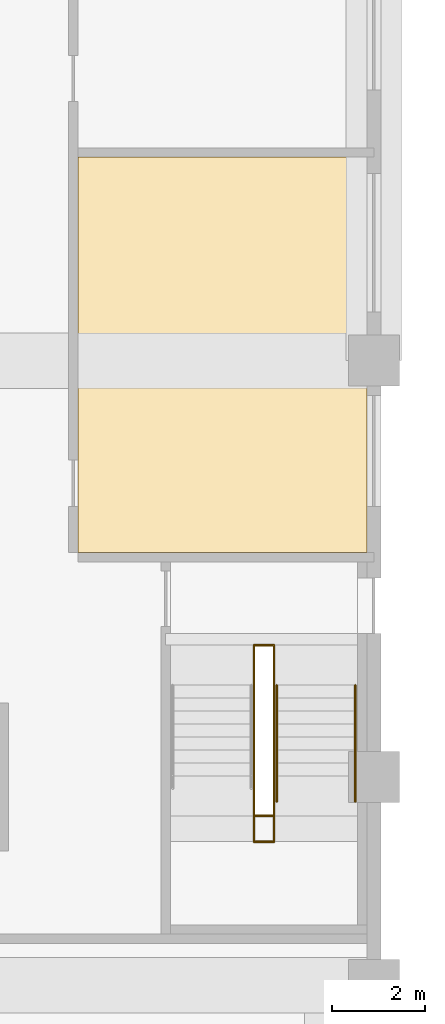
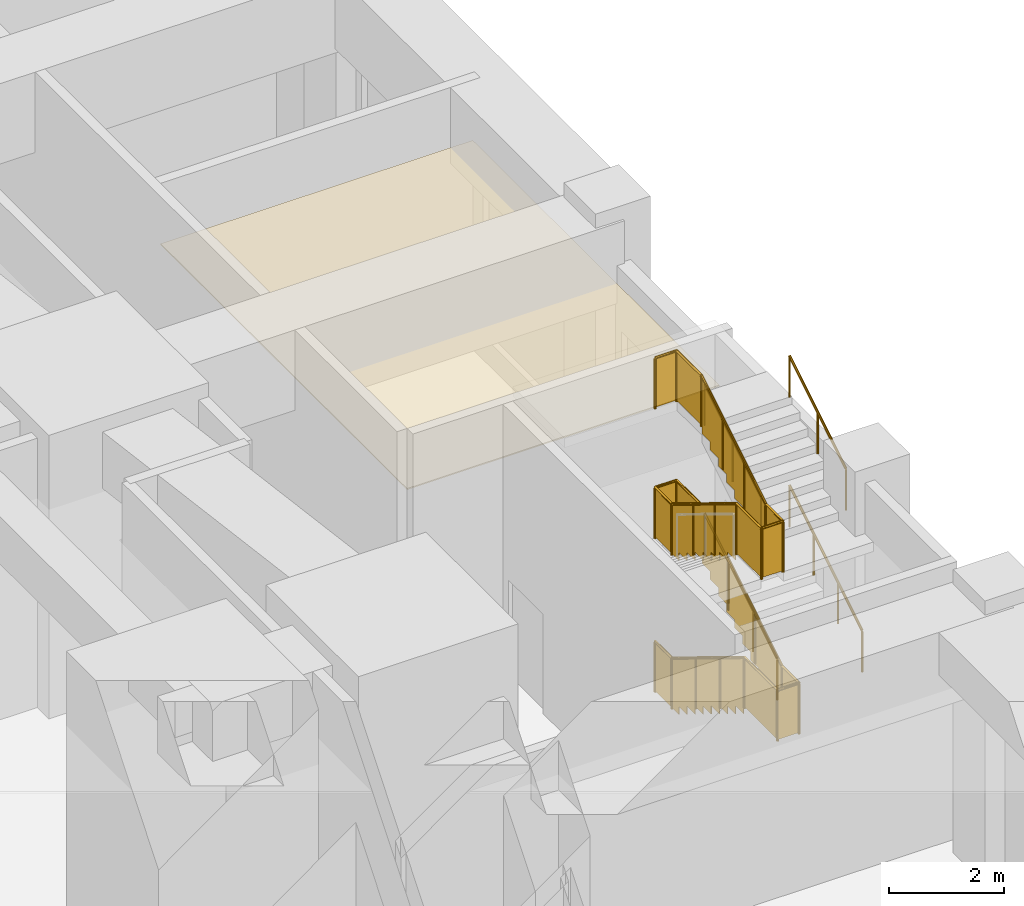
# One storey, part 12 of 13: 8 railings, 1 covering.
"""IFC4 building model written with IfcOpenShell, lengths in metres."""

from ifc_helpers import new_model, si_unit, direction, frame, origin, origin_2d, place, context, subcontext, project, spatial, polyline, circle, outline, extrude, material, layer, layer_set, type_object, element, save


model = new_model("IFC4")

# Units and contexts
model_context = context("Model", 3, precision=1e-05, world=origin(), true_north=direction((0.0, 1.0)))
body_context = subcontext(model_context, "Body", "Model", "MODEL_VIEW")
ifc_project = project(units=[si_unit("LENGTHUNIT", "METRE"), si_unit("AREAUNIT", "SQUARE_METRE"), si_unit("VOLUMEUNIT", "CUBIC_METRE"), si_unit("PLANEANGLEUNIT", "RADIAN"), si_unit("MASSUNIT", "GRAM", prefix="KILO")], contexts=[model_context])

# Site, building, storey
site_placement = place(None, origin())
site = spatial("IfcSite", under=ifc_project, at=site_placement, CompositionType="ELEMENT")
building_placement = place(site_placement, origin())
building = spatial("IfcBuilding", under=site, at=building_placement, Name="Kilele Tower Hotel", CompositionType="ELEMENT")
storey_placement = place(building_placement, origin())
storey = spatial("IfcBuildingStorey", under=building, at=storey_placement, Name="L00", CompositionType="ELEMENT", Elevation=0.0)

# Railings
ifc_material_1 = material(Name="Steel handrail", Category="steel")
railing_type_1 = type_object("IfcRailingType", Name="Handrail 900", PredefinedType="HANDRAIL", material=ifc_material_1)
for number, where, name in (
    (1, (56.39990234375, 3.965087890625, 1.71435546875), "Handrail ST5 flight 2"),
    (2, (58.10009765625, 3.965087890625, 1.71435546875), "Handrail ST5 flight 2"),
):
    element("IfcRailing", number, at=place(storey_placement, frame(where)), inside=storey, type_object=railing_type_1, Name=name, PredefinedType="HANDRAIL", context=body_context, shape_type="SweptSolid", body=[
        extrude(circle(Radius=0.02490234375, at=origin_2d()), frame((0.0, 0.0, 0.875), z_axis=(0.0, 0.852873080145, 0.522118290393), x_axis=(-1.0, 0.0, 0.0)), (0.0, 0.0, 1.0), 2.954833984375),
        extrude(circle(Radius=0.02001953125, at=origin_2d()), origin(), (0.0, 0.0, 1.0), 0.849853515625),
        extrude(circle(Radius=0.02001953125, at=origin_2d()), frame((0.0, 0.840087890625, 0.51416015625)), (0.0, 0.0, 1.0), 0.849853515625),
        extrude(circle(Radius=0.02001953125, at=origin_2d()), frame((0.0, 1.679931640625, 1.028564453125)), (0.0, 0.0, 1.0), 0.849853515625),
        extrude(circle(Radius=0.02001953125, at=origin_2d()), frame((0.0, 2.52001953125, 1.542724609375)), (0.0, 0.0, 1.0), 0.849853515625),
    ])
for number, where, name in (
    (3, (56.39990234375, 4.52490234375, 4.800048828125), "Handrail ST5 flight 4"),
    (4, (58.10009765625, 4.52490234375, 4.800048828125), "Handrail ST5 flight 4"),
):
    element("IfcRailing", number, at=place(storey_placement, frame(where)), inside=storey, type_object=railing_type_1, Name=name, PredefinedType="HANDRAIL", context=body_context, shape_type="SweptSolid", body=[
        extrude(circle(Radius=0.02490234375, at=origin_2d()), frame((0.0, 0.0, 0.875), z_axis=(0.0, 0.852885091096, 0.522098670163), x_axis=(-1.0, 0.0, 0.0)), (0.0, 0.0, 1.0), 2.29833984375),
        extrude(circle(Radius=0.02001953125, at=origin_2d()), origin(), (0.0, 0.0, 1.0), 0.849853515625),
        extrude(circle(Radius=0.02001953125, at=origin_2d()), frame((0.0, 0.97998046875, 0.60009765625)), (0.0, 0.0, 1.0), 0.849853515625),
        extrude(circle(Radius=0.02001953125, at=origin_2d()), frame((0.0, 1.960205078125, 1.199951171875)), (0.0, 0.0, 1.0), 0.849853515625),
    ])
ifc_material_2 = material(Name="Steel guard", Category="steel")
railing_type_2 = type_object("IfcRailingType", Name="Stair guard 1100", PredefinedType="GUARDRAIL", material=ifc_material_2)
railing_1_placement = place(storey_placement, frame((55.909912109375, 7.35009765625, 0.0)))
element("IfcRailing", 5, at=railing_1_placement, inside=storey, type_object=railing_type_2, Name="Stair well guard ST5 flight 1", PredefinedType="GUARDRAIL", context=body_context, shape_type="SweptSolid", body=[
    extrude(circle(Radius=0.02490234375, at=origin_2d()), frame((0.0, 0.0, 1.0751953125), z_axis=(0.0, -1.0, 0.0), x_axis=(1.0, 0.0, 0.0)), (0.0, 0.0, 1.0), 0.585205078125),
    extrude(circle(Radius=0.02490234375, at=origin_2d()), frame((0.0, -0.585205078125, 1.0751953125), z_axis=(0.0, -0.85281375462, 0.522215185466), x_axis=(1.0, 0.0, 0.0)), (0.0, 0.0, 1.0), 2.95458984375),
    extrude(circle(Radius=0.02490234375, at=origin_2d()), frame((0.0, -3.10498046875, 2.6181640625), z_axis=(0.0, -1.0, 0.0), x_axis=(1.0, 0.0, 0.0)), (0.0, 0.0, 1.0), 1.14501953125),
    extrude(circle(Radius=0.02490234375, at=origin_2d()), frame((0.0, -4.25, 2.6181640625), z_axis=(1.0, 0.0, 0.0), x_axis=(0.0, 1.0, 0.0)), (0.0, 0.0, 1.0), 0.43017578125),
    extrude(circle(Radius=0.02490234375, at=origin_2d()), origin(), (0.0, 0.0, 1.0), 1.050048828125),
    extrude(circle(Radius=0.02490234375, at=origin_2d()), frame((0.0, -0.585205078125, 0.0)), (0.0, 0.0, 1.0), 1.050048828125),
    extrude(circle(Radius=0.02490234375, at=origin_2d()), frame((0.0, -1.425048828125, 0.514404296875)), (0.0, 0.0, 1.0), 1.050048828125),
    extrude(circle(Radius=0.02490234375, at=origin_2d()), frame((0.0, -2.26513671875, 1.028564453125)), (0.0, 0.0, 1.0), 1.050048828125),
    extrude(circle(Radius=0.02490234375, at=origin_2d()), frame((0.0, -3.10498046875, 1.54296875)), (0.0, 0.0, 1.0), 1.050048828125),
    extrude(circle(Radius=0.02490234375, at=origin_2d()), frame((0.0, -4.25, 1.54296875)), (0.0, 0.0, 1.0), 1.050048828125),
    extrude(circle(Radius=0.02490234375, at=origin_2d()), frame((0.43017578125, -4.25, 1.54296875)), (0.0, 0.0, 1.0), 1.050048828125),
    extrude(outline(polyline([(0.0, 0.030029296875), (0.57275390625, 0.030029296875), (0.57275390625, 1.050048828125), (0.0, 1.050048828125), (0.0, 0.030029296875)])), frame((0.005859375, 0.0, 0.0), z_axis=(-1.0, 0.0, 0.0), x_axis=(0.0, -1.0, 0.0)), (0.0, 0.0, 1.0), 0.011962890625),
    extrude(outline(polyline([(0.012451171875, 0.030029296875), (0.25, 0.030029296875), (0.25, 0.201416015625), (0.530029296875, 0.201416015625), (0.530029296875, 0.372802734375), (0.809814453125, 0.372802734375), (0.809814453125, 0.54443359375), (1.08984375, 0.54443359375), (1.08984375, 0.7158203125), (1.369873046875, 0.7158203125), (1.369873046875, 0.88720703125), (1.64990234375, 0.88720703125), (1.64990234375, 1.05859375), (1.9296875, 1.05859375), (1.9296875, 1.230224609375), (2.209716796875, 1.230224609375), (2.209716796875, 1.401611328125), (2.48974609375, 1.401611328125), (2.48974609375, 1.572998046875), (2.50732421875, 1.572998046875), (2.50732421875, 2.5810546875), (0.012451171875, 1.053466796875), (0.012451171875, 0.030029296875)])), frame((0.005859375, -0.585205078125, 0.0), z_axis=(-1.0, 0.0, 0.0), x_axis=(0.0, -1.0, 0.0)), (0.0, 0.0, 1.0), 0.011962890625),
    extrude(outline(polyline([(0.012451171875, 0.030029296875), (1.132568359375, 0.030029296875), (1.132568359375, 1.050048828125), (0.012451171875, 1.050048828125), (0.012451171875, 0.030029296875)])), frame((0.005859375, -3.10498046875, 1.54296875), z_axis=(-1.0, 0.0, 0.0), x_axis=(0.0, -1.0, 0.0)), (0.0, 0.0, 1.0), 0.011962890625),
    extrude(outline(polyline([(0.012451171875, 0.030029296875), (0.43017578125, 0.030029296875), (0.43017578125, 1.050048828125), (0.012451171875, 1.050048828125), (0.012451171875, 0.030029296875)])), frame((0.0, -4.244140625, 1.54296875), z_axis=(0.0, -1.0, 0.0), x_axis=(1.0, 0.0, 0.0)), (0.0, 0.0, 1.0), 0.011962890625),
])
railing_2_placement = place(storey_placement, frame((56.340087890625, 3.10009765625, 1.54296875)))
element("IfcRailing", 6, at=railing_2_placement, inside=storey, type_object=railing_type_2, Name="Stair well guard ST5 flight 2", PredefinedType="GUARDRAIL", context=body_context, shape_type="SweptSolid", body=[
    extrude(circle(Radius=0.02490234375, at=origin_2d()), frame((0.0, 0.0, 1.0751953125), z_axis=(0.0, 1.0, 0.0), x_axis=(-1.0, 0.0, 0.0)), (0.0, 0.0, 1.0), 0.5849609375),
    extrude(circle(Radius=0.02490234375, at=origin_2d()), frame((0.0, 0.5849609375, 1.0751953125), z_axis=(0.0, 0.852879011914, 0.522108600807), x_axis=(-1.0, 0.0, 0.0)), (0.0, 0.0, 1.0), 3.282958984375),
    extrude(circle(Radius=0.02490234375, at=origin_2d()), frame((0.0, 3.385009765625, 2.7890625), z_axis=(0.0, 1.0, 0.0), x_axis=(-1.0, 0.0, 0.0)), (0.0, 0.0, 1.0), 0.864990234375),
    extrude(circle(Radius=0.02490234375, at=origin_2d()), frame((0.0, 4.25, 2.7890625), z_axis=(-1.0, 0.0, 0.0), x_axis=(0.0, -1.0, 0.0)), (0.0, 0.0, 1.0), 0.43017578125),
    extrude(circle(Radius=0.02490234375, at=origin_2d()), origin(), (0.0, 0.0, 1.0), 1.050048828125),
    extrude(circle(Radius=0.02490234375, at=origin_2d()), frame((0.0, 0.5849609375, 0.0)), (0.0, 0.0, 1.0), 1.050048828125),
    extrude(circle(Radius=0.02490234375, at=origin_2d()), frame((0.0, 1.518310546875, 0.5712890625)), (0.0, 0.0, 1.0), 1.050048828125),
    extrude(circle(Radius=0.02490234375, at=origin_2d()), frame((0.0, 2.45166015625, 1.142822265625)), (0.0, 0.0, 1.0), 1.050048828125),
    extrude(circle(Radius=0.02490234375, at=origin_2d()), frame((0.0, 3.385009765625, 1.714111328125)), (0.0, 0.0, 1.0), 1.050048828125),
    extrude(circle(Radius=0.02490234375, at=origin_2d()), frame((0.0, 4.25, 1.714111328125)), (0.0, 0.0, 1.0), 1.050048828125),
    extrude(circle(Radius=0.02490234375, at=origin_2d()), frame((-0.43017578125, 4.25, 1.714111328125)), (0.0, 0.0, 1.0), 1.050048828125),
    extrude(outline(polyline([(0.0, 0.030029296875), (0.572509765625, 0.030029296875), (0.572509765625, 1.050048828125), (0.0, 1.050048828125), (0.0, 0.030029296875)])), frame((-0.005859375, 0.0, 0.0), z_axis=(1.0, 0.0, 0.0), x_axis=(0.0, 1.0, 0.0)), (0.0, 0.0, 1.0), 0.011962890625),
    extrude(outline(polyline([(0.012451171875, 0.030029296875), (0.25, 0.030029296875), (0.25, 0.201416015625), (0.530029296875, 0.201416015625), (0.530029296875, 0.372802734375), (0.81005859375, 0.372802734375), (0.81005859375, 0.544189453125), (1.090087890625, 0.544189453125), (1.090087890625, 0.715576171875), (1.3701171875, 0.715576171875), (1.3701171875, 0.88720703125), (1.64990234375, 0.88720703125), (1.64990234375, 1.05859375), (1.929931640625, 1.05859375), (1.929931640625, 1.22998046875), (2.2099609375, 1.22998046875), (2.2099609375, 1.4013671875), (2.489990234375, 1.4013671875), (2.489990234375, 1.57275390625), (2.77001953125, 1.57275390625), (2.77001953125, 1.744140625), (2.78759765625, 1.744140625), (2.78759765625, 2.752197265625), (0.012451171875, 1.053466796875), (0.012451171875, 0.030029296875)])), frame((-0.005859375, 0.5849609375, 0.0), z_axis=(1.0, 0.0, 0.0), x_axis=(0.0, 1.0, 0.0)), (0.0, 0.0, 1.0), 0.011962890625),
    extrude(outline(polyline([(0.012451171875, 0.030029296875), (0.8525390625, 0.030029296875), (0.8525390625, 1.050048828125), (0.012451171875, 1.050048828125), (0.012451171875, 0.030029296875)])), frame((-0.005859375, 3.385009765625, 1.714111328125), z_axis=(1.0, 0.0, 0.0), x_axis=(0.0, 1.0, 0.0)), (0.0, 0.0, 1.0), 0.011962890625),
    extrude(outline(polyline([(0.012451171875, 0.030029296875), (0.43017578125, 0.030029296875), (0.43017578125, 1.050048828125), (0.012451171875, 1.050048828125), (0.012451171875, 0.030029296875)])), frame((0.0, 4.244140625, 1.714111328125), z_axis=(0.0, 1.0, 0.0), x_axis=(-1.0, 0.0, 0.0)), (0.0, 0.0, 1.0), 0.011962890625),
])
railing_3_placement = place(storey_placement, frame((55.909912109375, 7.35009765625, 3.257080078125)))
element("IfcRailing", 7, at=railing_3_placement, inside=storey, type_object=railing_type_2, Name="Stair well guard ST5 flight 3", PredefinedType="GUARDRAIL", context=body_context, shape_type="SweptSolid", body=[
    extrude(circle(Radius=0.02490234375, at=origin_2d()), frame((0.0, 0.0, 1.0751953125), z_axis=(0.0, -1.0, 0.0), x_axis=(1.0, 0.0, 0.0)), (0.0, 0.0, 1.0), 0.585205078125),
    extrude(circle(Radius=0.02490234375, at=origin_2d()), frame((0.0, -0.585205078125, 1.0751953125), z_axis=(0.0, -0.852824270871, 0.522198011308), x_axis=(1.0, 0.0, 0.0)), (0.0, 0.0, 1.0), 2.62646484375),
    extrude(circle(Radius=0.02490234375, at=origin_2d()), frame((0.0, -2.8251953125, 2.44677734375), z_axis=(0.0, -1.0, 0.0), x_axis=(1.0, 0.0, 0.0)), (0.0, 0.0, 1.0), 0.864990234375),
    extrude(circle(Radius=0.02490234375, at=origin_2d()), frame((0.0, -3.690185546875, 2.44677734375), z_axis=(1.0, 0.0, 0.0), x_axis=(0.0, 1.0, 0.0)), (0.0, 0.0, 1.0), 0.43017578125),
    extrude(circle(Radius=0.02490234375, at=origin_2d()), origin(), (0.0, 0.0, 1.0), 1.050048828125),
    extrude(circle(Radius=0.02490234375, at=origin_2d()), frame((0.0, -0.585205078125, 0.0)), (0.0, 0.0, 1.0), 1.050048828125),
    extrude(circle(Radius=0.02490234375, at=origin_2d()), frame((0.0, -1.331787109375, 0.457275390625)), (0.0, 0.0, 1.0), 1.050048828125),
    extrude(circle(Radius=0.02490234375, at=origin_2d()), frame((0.0, -2.07861328125, 0.914306640625)), (0.0, 0.0, 1.0), 1.050048828125),
    extrude(circle(Radius=0.02490234375, at=origin_2d()), frame((0.0, -2.8251953125, 1.37158203125)), (0.0, 0.0, 1.0), 1.050048828125),
    extrude(circle(Radius=0.02490234375, at=origin_2d()), frame((0.0, -3.690185546875, 1.37158203125)), (0.0, 0.0, 1.0), 1.050048828125),
    extrude(circle(Radius=0.02490234375, at=origin_2d()), frame((0.43017578125, -3.690185546875, 1.37158203125)), (0.0, 0.0, 1.0), 1.050048828125),
    extrude(outline(polyline([(0.0, 0.030029296875), (0.57275390625, 0.030029296875), (0.57275390625, 1.050048828125), (0.0, 1.050048828125), (0.0, 0.030029296875)])), frame((0.005859375, 0.0, 0.0), z_axis=(-1.0, 0.0, 0.0), x_axis=(0.0, -1.0, 0.0)), (0.0, 0.0, 1.0), 0.011962890625),
    extrude(outline(polyline([(0.012451171875, 0.030029296875), (0.25, 0.030029296875), (0.25, 0.201416015625), (0.530029296875, 0.201416015625), (0.530029296875, 0.373046875), (0.81005859375, 0.373046875), (0.81005859375, 0.54443359375), (1.08984375, 0.54443359375), (1.08984375, 0.7158203125), (1.369873046875, 0.7158203125), (1.369873046875, 0.88720703125), (1.64990234375, 0.88720703125), (1.64990234375, 1.05859375), (1.929931640625, 1.05859375), (1.929931640625, 1.230224609375), (2.2099609375, 1.230224609375), (2.2099609375, 1.401611328125), (2.2275390625, 1.401611328125), (2.2275390625, 2.40966796875), (0.012451171875, 1.053466796875), (0.012451171875, 0.030029296875)])), frame((0.005859375, -0.585205078125, 0.0), z_axis=(-1.0, 0.0, 0.0), x_axis=(0.0, -1.0, 0.0)), (0.0, 0.0, 1.0), 0.011962890625),
    extrude(outline(polyline([(0.012451171875, 0.030029296875), (0.8525390625, 0.030029296875), (0.8525390625, 1.050048828125), (0.012451171875, 1.050048828125), (0.012451171875, 0.030029296875)])), frame((0.005859375, -2.8251953125, 1.37158203125), z_axis=(-1.0, 0.0, 0.0), x_axis=(0.0, -1.0, 0.0)), (0.0, 0.0, 1.0), 0.011962890625),
    extrude(outline(polyline([(0.012451171875, 0.030029296875), (0.43017578125, 0.030029296875), (0.43017578125, 1.050048828125), (0.012451171875, 1.050048828125), (0.012451171875, 0.030029296875)])), frame((0.0, -3.68408203125, 1.37158203125), z_axis=(0.0, -1.0, 0.0), x_axis=(1.0, 0.0, 0.0)), (0.0, 0.0, 1.0), 0.011962890625),
])
railing_4_placement = place(storey_placement, frame((56.340087890625, 3.659912109375, 4.628662109375)))
element("IfcRailing", 8, at=railing_4_placement, inside=storey, type_object=railing_type_2, Name="Stair well guard ST5 flight 4", PredefinedType="GUARDRAIL", context=body_context, shape_type="SweptSolid", body=[
    extrude(circle(Radius=0.02490234375, at=origin_2d()), frame((0.0, 0.0, 1.0751953125), z_axis=(0.0, 1.0, 0.0), x_axis=(-1.0, 0.0, 0.0)), (0.0, 0.0, 1.0), 0.585205078125),
    extrude(circle(Radius=0.02490234375, at=origin_2d()), frame((0.0, 0.585205078125, 1.0751953125), z_axis=(0.0, 0.852865665234, 0.522130402356), x_axis=(-1.0, 0.0, 0.0)), (0.0, 0.0, 1.0), 2.62646484375),
    extrude(circle(Radius=0.02490234375, at=origin_2d()), frame((0.0, 2.8251953125, 2.4462890625), z_axis=(0.0, 1.0, 0.0), x_axis=(-1.0, 0.0, 0.0)), (0.0, 0.0, 1.0), 0.864990234375),
    extrude(circle(Radius=0.02490234375, at=origin_2d()), frame((0.0, 3.690185546875, 2.4462890625), z_axis=(-1.0, 0.0, 0.0), x_axis=(0.0, -1.0, 0.0)), (0.0, 0.0, 1.0), 0.43017578125),
    extrude(circle(Radius=0.02490234375, at=origin_2d()), origin(), (0.0, 0.0, 1.0), 1.050048828125),
    extrude(circle(Radius=0.02490234375, at=origin_2d()), frame((0.0, 0.585205078125, 0.0)), (0.0, 0.0, 1.0), 1.050048828125),
    extrude(circle(Radius=0.02490234375, at=origin_2d()), frame((0.0, 1.331787109375, 0.45703125)), (0.0, 0.0, 1.0), 1.050048828125),
    extrude(circle(Radius=0.02490234375, at=origin_2d()), frame((0.0, 2.07861328125, 0.914306640625)), (0.0, 0.0, 1.0), 1.050048828125),
    extrude(circle(Radius=0.02490234375, at=origin_2d()), frame((0.0, 2.8251953125, 1.371337890625)), (0.0, 0.0, 1.0), 1.050048828125),
    extrude(circle(Radius=0.02490234375, at=origin_2d()), frame((0.0, 3.690185546875, 1.371337890625)), (0.0, 0.0, 1.0), 1.050048828125),
    extrude(circle(Radius=0.02490234375, at=origin_2d()), frame((-0.43017578125, 3.690185546875, 1.371337890625)), (0.0, 0.0, 1.0), 1.050048828125),
    extrude(outline(polyline([(0.0, 0.030029296875), (0.57275390625, 0.030029296875), (0.57275390625, 1.050048828125), (0.0, 1.050048828125), (0.0, 0.030029296875)])), frame((-0.005859375, 0.0, 0.0), z_axis=(1.0, 0.0, 0.0), x_axis=(0.0, 1.0, 0.0)), (0.0, 0.0, 1.0), 0.011962890625),
    extrude(outline(polyline([(0.012451171875, 0.030029296875), (0.25, 0.030029296875), (0.25, 0.201416015625), (0.530029296875, 0.201416015625), (0.530029296875, 0.372802734375), (0.81005859375, 0.372802734375), (0.81005859375, 0.544189453125), (1.08984375, 0.544189453125), (1.08984375, 0.7158203125), (1.369873046875, 0.7158203125), (1.369873046875, 0.88720703125), (1.64990234375, 0.88720703125), (1.64990234375, 1.05859375), (1.929931640625, 1.05859375), (1.929931640625, 1.22998046875), (2.2099609375, 1.22998046875), (2.2099609375, 1.4013671875), (2.2275390625, 1.4013671875), (2.2275390625, 2.409423828125), (0.012451171875, 1.053466796875), (0.012451171875, 0.030029296875)])), frame((-0.005859375, 0.585205078125, 0.0), z_axis=(1.0, 0.0, 0.0), x_axis=(0.0, 1.0, 0.0)), (0.0, 0.0, 1.0), 0.011962890625),
    extrude(outline(polyline([(0.012451171875, 0.030029296875), (0.8525390625, 0.030029296875), (0.8525390625, 1.050048828125), (0.012451171875, 1.050048828125), (0.012451171875, 0.030029296875)])), frame((-0.005859375, 2.8251953125, 1.371337890625), z_axis=(1.0, 0.0, 0.0), x_axis=(0.0, 1.0, 0.0)), (0.0, 0.0, 1.0), 0.011962890625),
    extrude(outline(polyline([(0.012451171875, 0.030029296875), (0.43017578125, 0.030029296875), (0.43017578125, 1.050048828125), (0.012451171875, 1.050048828125), (0.012451171875, 0.030029296875)])), frame((0.0, 3.68408203125, 1.371337890625), z_axis=(0.0, 1.0, 0.0), x_axis=(-1.0, 0.0, 0.0)), (0.0, 0.0, 1.0), 0.011962890625),
])

# Covering
ifc_material_3 = material(Name="Gypsum board suspended ceiling", Category="gypsum")
ifc_layer = layer(ifc_material_3, 0.02490234375)
ifc_layer_set = layer_set([ifc_layer], Name="Gypsum board suspended ceiling")
covering_type = type_object("IfcCoveringType", Name="Suspended ceiling 25", PredefinedType="CEILING", material=ifc_layer_set)
covering_placement = place(storey_placement, frame((0.0, 0.0, 4.39990234375)))
element("IfcCovering", 9, at=covering_placement, inside=storey, type_object=covering_type, Name="Suspended ceiling Security office", PredefinedType="CEILING", context=body_context, shape_type="SweptSolid", body=[
    extrude(outline(polyline([(58.35009765625, 9.35009765625), (52.10009765625, 9.35009765625), (52.10009765625, 17.89990234375), (58.35009765625, 17.89990234375), (58.35009765625, 9.35009765625)])), origin(), (0.0, 0.0, 1.0), 0.025146484375),
])

save(model, "model.ifc")
